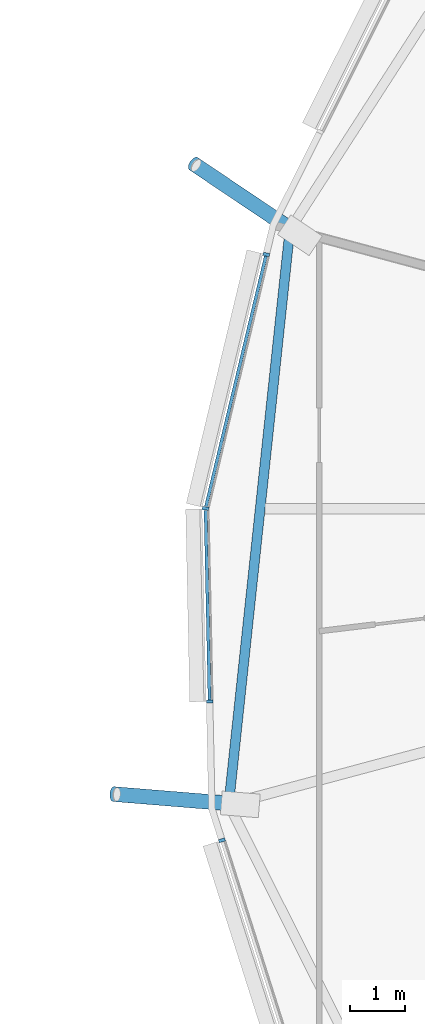
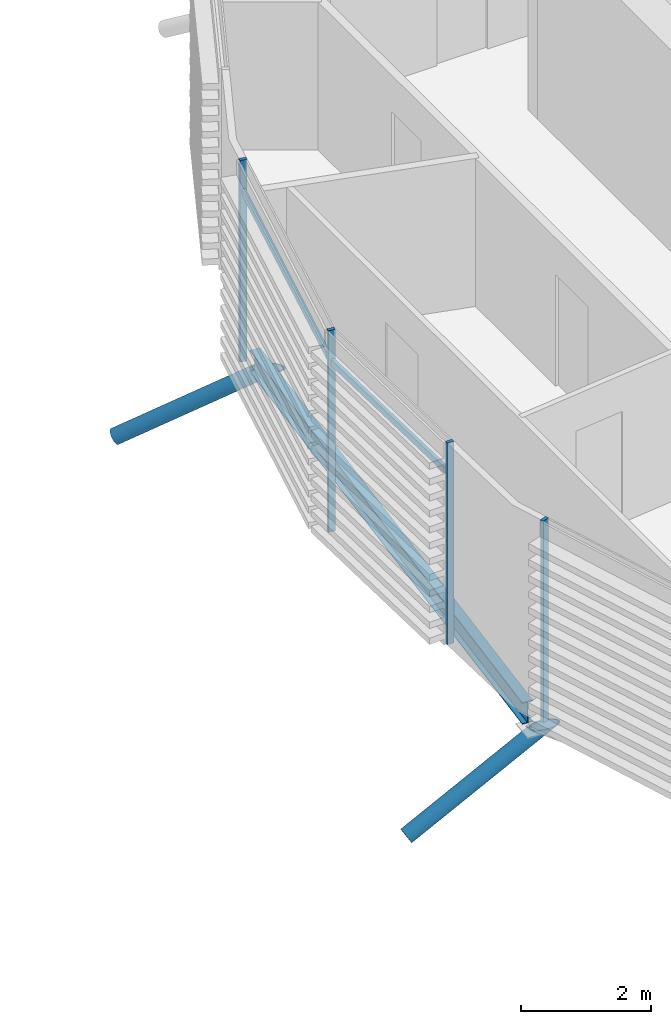
# One storey, part 9 of 38: 8 members, 1 beam, 1 element without a shape of its own.
"""IFC4 building model written with IfcOpenShell, lengths in metres."""

from ifc_helpers import new_model, si_unit, direction, frame, origin, origin_2d, place, context, subcontext, project, spatial, rectangle, hollow_circle, i_section, extrude, clip, halfspace, material, material_profile, profile_set, type_object, element, aggregate, save


model = new_model("IFC4")

# Units and contexts
model_context = context("Model", 3, precision=1e-05, world=origin(), true_north=direction((0.0, 1.0)))
body_context = subcontext(model_context, "Body", "Model", "MODEL_VIEW")
ifc_project = project(units=[si_unit("LENGTHUNIT", "METRE"), si_unit("AREAUNIT", "SQUARE_METRE"), si_unit("VOLUMEUNIT", "CUBIC_METRE"), si_unit("PLANEANGLEUNIT", "RADIAN"), si_unit("MASSUNIT", "GRAM", prefix="KILO")], contexts=[model_context])

# Site, building, storey
site_placement = place(None, origin())
site = spatial("IfcSite", under=ifc_project, at=site_placement, CompositionType="ELEMENT")
building_placement = place(site_placement, origin())
building = spatial("IfcBuilding", under=site, at=building_placement, Name="Rimbun Link Towers", CompositionType="ELEMENT")
storey_placement = place(building_placement, frame((0.0, 0.0, 185.5)))
storey = spatial("IfcBuildingStorey", under=building, at=storey_placement, Name="L45", CompositionType="ELEMENT", Elevation=185.5)

# Curtain wall, members
ifc_material_1 = material(Name="Aluminium 6063-T6 and low-iron glass", Category="aluminium")
curtain_wall_type = type_object("IfcCurtainWallType", Name="CW1-Z3 unitised vision wall (zone 3)", PredefinedType="NOTDEFINED", material=ifc_material_1)
curtain_wall_placement = place(storey_placement, origin())
curtain_wall = element("IfcCurtainWall", 1, at=curtain_wall_placement, inside=storey, type_object=curtain_wall_type, Name="CW1 L45 T2", PredefinedType="NOTDEFINED")
ifc_material_2 = material(Name="Aluminium 6063-T6", Category="aluminium")
ifc_material_profile_1 = material_profile(ifc_material_2, rectangle(XDim=0.1201171875, YDim=0.06005859375, at=origin_2d()), Name="MULLION 60X120")
ifc_profile_set_1 = profile_set([ifc_material_profile_1], Name="Aluminium 6063-T6")
member_type_1 = type_object("IfcMemberType", Name="CW1 mullion 60X120", PredefinedType="MULLION", material=ifc_profile_set_1)
member_1_placement = place(storey_placement, frame((11.15625, 0.00634765625, 0.0), z_axis=(0.0, 0.0, 1.0), x_axis=(-0.99429828972, 0.10663447407, 0.0)))
member_1 = element("IfcMember", 2, at=member_1_placement, type_object=member_type_1, Name="CW1 mullion", PredefinedType="MULLION", context=body_context, shape_type="SweptSolid", body=[
    extrude(rectangle(XDim=0.1201171875, YDim=0.06005859375, at=origin_2d()), origin(), (0.0, 0.0, 1.0), 3.800048828125),
])
member_2_placement = place(storey_placement, frame((12.26611328125, 4.649658203125, 0.0), z_axis=(0.0, 0.0, 1.0), x_axis=(-0.972573434414, 0.232596033225, 0.0)))
member_2 = element("IfcMember", 3, at=member_2_placement, type_object=member_type_1, Name="CW1 mullion", PredefinedType="MULLION", context=body_context, shape_type="SweptSolid", body=[
    extrude(rectangle(XDim=0.1201171875, YDim=0.06005859375, at=origin_2d()), origin(), (0.0, 0.0, 1.0), 3.800048828125),
])
member_3_placement = place(storey_placement, frame((11.230224609375, -3.52294921875, 0.0), z_axis=(0.0, 0.0, 1.0), x_axis=(-0.999778017463, -0.02106930936, 0.0)))
member_3 = element("IfcMember", 4, at=member_3_placement, type_object=member_type_1, Name="CW1 mullion", PredefinedType="MULLION", context=body_context, shape_type="SweptSolid", body=[
    extrude(rectangle(XDim=0.1201171875, YDim=0.06005859375, at=origin_2d()), origin(), (0.0, 0.0, 1.0), 3.800048828125),
])
member_4_placement = place(storey_placement, frame((11.455810546875, -6.061279296875, 0.0), z_axis=(0.0, 0.0, 1.0), x_axis=(-0.95297360206, -0.303053318374, 0.0)))
member_4 = element("IfcMember", 5, at=member_4_placement, type_object=member_type_1, Name="CW1 mullion", PredefinedType="MULLION", context=body_context, shape_type="SweptSolid", body=[
    extrude(rectangle(XDim=0.1201171875, YDim=0.06005859375, at=origin_2d()), origin(), (0.0, 0.0, 1.0), 3.800048828125),
])
ifc_material_3 = material(Name="Aluminium 6063-T6", Category="aluminium")
ifc_material_profile_2 = material_profile(ifc_material_3, rectangle(XDim=0.06005859375, YDim=0.1201171875, at=origin_2d()), Name="TRANSOM 60X120")
ifc_profile_set_2 = profile_set([ifc_material_profile_2], Name="Aluminium 6063-T6")
member_type_2 = type_object("IfcMemberType", Name="CW1 transom 60X120", PredefinedType="USERDEFINED", material=ifc_profile_set_2)
member_5_placement = place(storey_placement, frame((11.16650390625, 0.042724609375, 3.199951171875), z_axis=(0.232599880231, 0.972572514374, 0.0), x_axis=(-0.972572514374, 0.232599880231, 0.0)))
member_5 = element("IfcMember", 6, at=member_5_placement, type_object=member_type_2, Name="CW1 transom", ObjectType="TRANSOM", PredefinedType="USERDEFINED", context=body_context, shape_type="SweptSolid", body=[
    extrude(rectangle(XDim=0.06005859375, YDim=0.1201171875, at=origin_2d()), origin(), (0.0, 0.0, 1.0), 4.70654296875),
])
member_6_placement = place(storey_placement, frame((11.2314453125, -3.492919921875, 3.199951171875), z_axis=(-0.021082836727, 0.999777732296, 0.0), x_axis=(-0.999777732296, -0.021082836727, 0.0)))
member_6 = element("IfcMember", 7, at=member_6_placement, type_object=member_type_2, Name="CW1 transom", ObjectType="TRANSOM", PredefinedType="USERDEFINED", context=body_context, shape_type="SweptSolid", body=[
    extrude(rectangle(XDim=0.06005859375, YDim=0.1201171875, at=origin_2d()), origin(), (0.0, 0.0, 1.0), 3.46240234375),
])
aggregate(curtain_wall, [member_1, member_2, member_3, member_4, member_5, member_6])

# Members
ifc_material_4 = material(Name="Steel S355J2H", Category="steel")
ifc_material_profile_3 = material_profile(ifc_material_4, hollow_circle(Radius=0.136474609375, WallThickness=0.012451171875, at=origin_2d()), Name="CHS 273x12.5")
ifc_profile_set_3 = profile_set([ifc_material_profile_3], Name="Steel S355J2H")
member_type_3 = type_object("IfcMemberType", Name="Floor edge link CHS 273x12.5", PredefinedType="BRACE", material=ifc_profile_set_3)
member_7_placement = place(storey_placement, frame((12.747314453125, 5.091796875, -0.67333984375), z_axis=(-0.713209830961, 0.47947929725, -0.511303569837), x_axis=(-0.557923202283, -0.829892583624, 0.0)))
element("IfcMember", 8, at=member_7_placement, inside=storey, type_object=member_type_3, Name="Floor edge link T2 L45 08", PredefinedType="BRACE", context=body_context, shape_type="Clipping", body=[
    clip(extrude(hollow_circle(Radius=0.136474609375, WallThickness=0.012451171875, at=origin_2d()), frame((0.0, 0.0, -0.478515625)), (0.0, 0.0, 1.0), 3.017578125), halfspace(frame((0.0, 0.0, -0.224853515625), z_axis=(0.0, 0.859400174233, -0.511303569837)), False)),
])
member_8_placement = place(storey_placement, frame((11.628173828125, -5.3916015625, -0.720458984375), z_axis=(-0.857978026994, 0.06993168616, -0.508903983544), x_axis=(-0.08123814379, -0.996694719557, 0.0)))
element("IfcMember", 9, at=member_8_placement, inside=storey, type_object=member_type_3, Name="Floor edge link T2 L45 10", PredefinedType="BRACE", context=body_context, shape_type="Clipping", body=[
    clip(extrude(hollow_circle(Radius=0.136474609375, WallThickness=0.012451171875, at=origin_2d()), frame((0.0, 0.0, -0.4814453125)), (0.0, 0.0, 1.0), 2.988037109375), halfspace(frame((0.0, 0.0, -0.22607421875), z_axis=(0.0, 0.860823289376, -0.508903983544)), False)),
])

# Beam
ifc_material_5 = material(Name="Steel S355J2", Category="steel")
ifc_material_profile_4 = material_profile(ifc_material_5, i_section(OverallWidth=0.177978515625, OverallDepth=0.406494140625, WebThickness=0.0078125, FlangeThickness=0.0126953125, at=origin_2d()), Name="UB 406x178x60")
ifc_profile_set_4 = profile_set([ifc_material_profile_4], Name="Steel S355J2")
beam_type = type_object("IfcBeamType", Name="UB 406x178x60", PredefinedType="BEAM", material=ifc_profile_set_4)
beam_placement = place(storey_placement, frame((12.689453125, 5.01416015625, -0.353271484375), z_axis=(-0.10589249422, -0.994377584053, 0.0), x_axis=(0.994377584053, -0.10589249422, 0.0)))
element("IfcBeam", 10, at=beam_placement, inside=storey, type_object=beam_type, Name="Edge beam T2 L45 08-10", PredefinedType="BEAM", context=body_context, shape_type="SweptSolid", body=[
    extrude(i_section(OverallWidth=0.177978515625, OverallDepth=0.406494140625, WebThickness=0.0078125, FlangeThickness=0.0126953125, at=origin_2d()), origin(), (0.0, 0.0, 1.0), 10.375),
])

save(model, "model.ifc")
